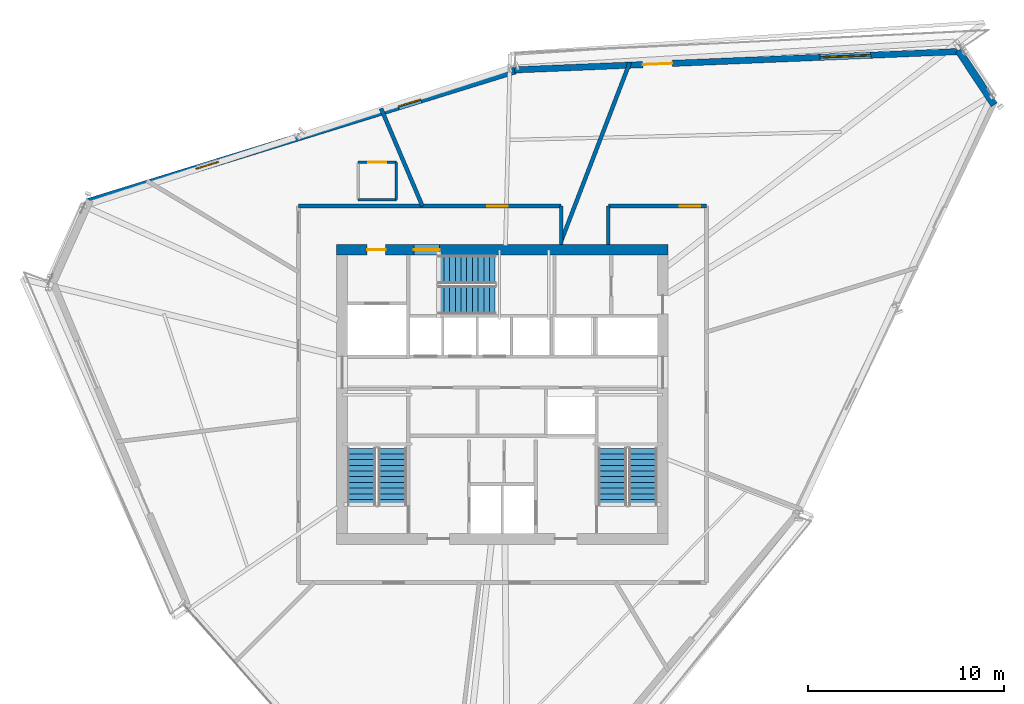
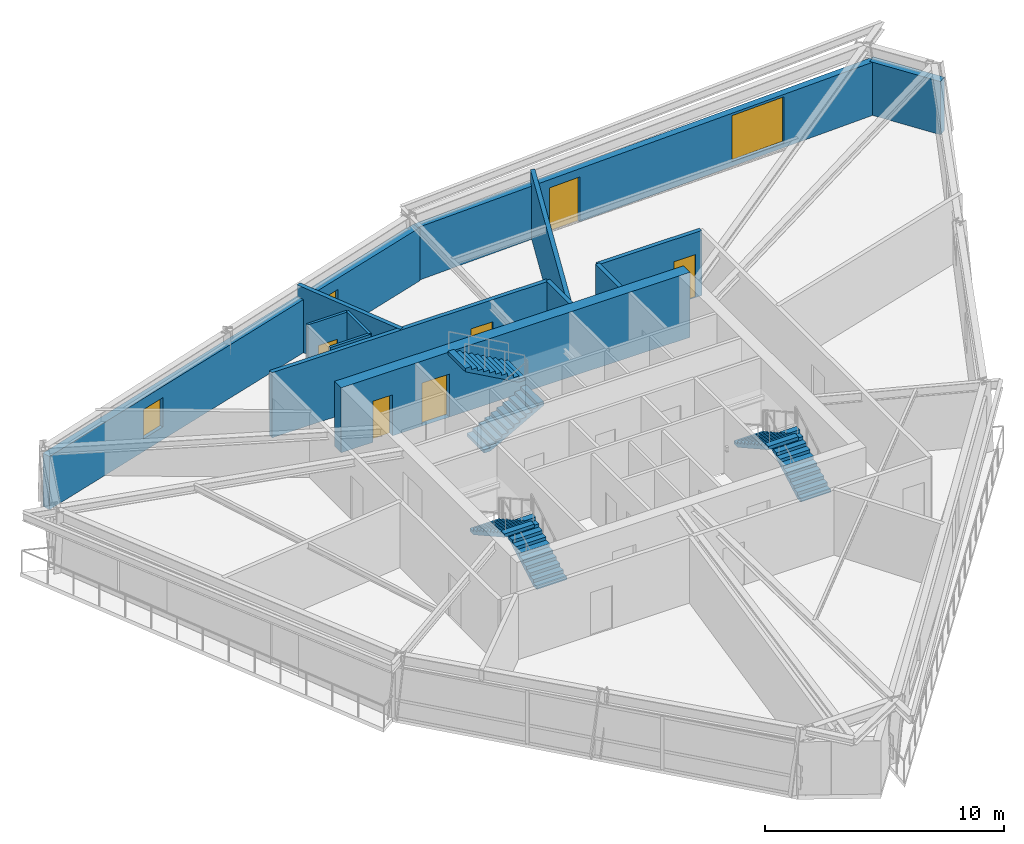
# One storey, part 10 of 13: 13 walls, 6 doors, 6 stair flights, 3 windows, 9 openings, 3 elements without a shape of their own.
"""IFC4 building model written with IfcOpenShell, lengths in metres."""

from ifc_helpers import new_model, si_unit, direction, frame, frame_2d, origin, place, context, subcontext, project, spatial, polyline, rectangle, outline, extrude, source, transform, mapped, material, layer, layer_set, type_object, type_shapes, element, fill, aggregate, save


model = new_model("IFC4")

# Units and contexts
model_context = context("Model", 3, precision=1e-05, world=origin(), true_north=direction((0.0, 1.0)))
body_context = subcontext(model_context, "Body", "Model", "MODEL_VIEW")
ifc_project = project(units=[si_unit("LENGTHUNIT", "METRE"), si_unit("AREAUNIT", "SQUARE_METRE"), si_unit("VOLUMEUNIT", "CUBIC_METRE"), si_unit("PLANEANGLEUNIT", "RADIAN"), si_unit("MASSUNIT", "GRAM", prefix="KILO")], contexts=[model_context])

# Site, building, storey
site_placement = place(None, origin())
site = spatial("IfcSite", under=ifc_project, at=site_placement, CompositionType="ELEMENT")
building_placement = place(site_placement, origin())
building = spatial("IfcBuilding", under=site, at=building_placement, Name="Olszyna Solenne Hotel", CompositionType="ELEMENT")
storey_placement = place(building_placement, frame((0.0, 0.0, 171.449951171875)))
storey = spatial("IfcBuildingStorey", under=building, at=storey_placement, Name="L45", CompositionType="ELEMENT", Elevation=171.449951171875)

# Wall, openings, doors
ifc_material_1 = material(Name="Concrete C50/60", Category="concrete")
ifc_layer_1 = layer(ifc_material_1, 0.550048828125, Name="Concrete C50/60")
ifc_layer_set_1 = layer_set([ifc_layer_1], Name="Concrete C50/60")
wall_type_1 = type_object("IfcWallType", Name="WL-CR550", PredefinedType="SHEAR", material=ifc_layer_set_1)
wall_1_placement = place(storey_placement, frame((29.550048828125, 33.97509765625, 0.0), z_axis=(0.0, 0.0, 1.0), x_axis=(1.0, 0.0, 0.0)))
wall_1 = element("IfcWall", 1, at=wall_1_placement, inside=storey, type_object=wall_type_1, Name="Core shear wall WL-CR550 CRW-L45-N", PredefinedType="SHEAR", context=body_context, shape_type="SweptSolid", body=[
    extrude(rectangle(XDim=16.89990234375, YDim=0.550048828125, at=frame_2d((8.449951171875, 0.0))), origin(), (0.0, 0.0, 1.0), 3.330078125),
])
opening_1_placement = place(wall_1_placement, frame((1.550048828125, 0.0, 0.0)))
opening_1 = element("IfcOpeningElement", 2, at=opening_1_placement, cuts=wall_1, Name="Opening SVD-L45-01", PredefinedType="OPENING", context=body_context, shape_type="SweptSolid", body=[
    extrude(rectangle(XDim=0.949951171875, YDim=2.10009765625, at=frame_2d((0.47509765625, 1.050048828125))), frame((0.0, 0.28515625, 0.0), z_axis=(0.0, -1.0, 0.0), x_axis=(1.0, 0.0, 0.0)), (0.0, 0.0, 1.0), 0.570068359375),
])
opening_2_placement = place(wall_1_placement, frame((3.929931640625, 0.0, 0.0)))
opening_2 = element("IfcOpeningElement", 3, at=opening_2_placement, cuts=wall_1, Name="Opening STD-L45-03", PredefinedType="OPENING", context=body_context, shape_type="SweptSolid", body=[
    extrude(rectangle(XDim=1.320068359375, YDim=2.199951171875, at=frame_2d((0.66015625, 1.10009765625))), frame((0.0, 0.28515625, 0.0), z_axis=(0.0, -1.0, 0.0), x_axis=(1.0, 0.0, 0.0)), (0.0, 0.0, 1.0), 0.570068359375),
])
ifc_material_2 = material(Name="Steel S355J2", Category="steel")
door_type_1 = type_object("IfcDoorType", Name="DR-ST1", OperationType="NOTDEFINED", PredefinedType="DOOR", material=ifc_material_2)
shared_shape_1 = source(origin(), body_context, "Body", "SweptSolid", [
    extrude(rectangle(XDim=1.320068359375, YDim=2.199951171875, at=frame_2d((0.66015625, 1.10009765625))), frame((0.0, 0.02490234375, 0.0), z_axis=(0.0, -1.0, 0.0), x_axis=(1.0, 0.0, 0.0)), (0.0, 0.0, 1.0), 0.050048828125),
])
type_shapes(door_type_1, [shared_shape_1])
door_1_placement = place(opening_2_placement, origin())
door_1 = element("IfcDoor", 4, at=door_1_placement, inside=storey, type_object=door_type_1, Name="Pressurised exit stair ST3 fire door STD-L45-03", OperationType="SINGLE_SWING_RIGHT", OverallHeight=2.199951171875, OverallWidth=1.320068359375, PredefinedType="DOOR", context=body_context, shape_type="MappedRepresentation", body=[
    mapped(shared_shape_1, transform((0.0, 0.0, 0.0), x_axis=(1.0, 0.0, 0.0), y_axis=(0.0, 1.0, 0.0), z_axis=(0.0, 0.0, 1.0), scale=1.0)),
])
fill(opening_2, door_1)
door_type_2 = type_object("IfcDoorType", Name="DR-SV1", OperationType="NOTDEFINED", PredefinedType="DOOR", material=ifc_material_2)
shared_shape_2 = source(origin(), body_context, "Body", "SweptSolid", [
    extrude(rectangle(XDim=0.949951171875, YDim=2.10009765625, at=frame_2d((0.47509765625, 1.050048828125))), frame((0.0, 0.02490234375, 0.0), z_axis=(0.0, -1.0, 0.0), x_axis=(1.0, 0.0, 0.0)), (0.0, 0.0, 1.0), 0.050048828125),
])
type_shapes(door_type_2, [shared_shape_2])
door_2_placement = place(opening_1_placement, origin())
door_2 = element("IfcDoor", 5, at=door_2_placement, inside=storey, type_object=door_type_2, Name="Service lift lobby fire door SVD-L45-01", OperationType="SINGLE_SWING_LEFT", OverallHeight=2.10009765625, OverallWidth=0.949951171875, PredefinedType="DOOR", context=body_context, shape_type="MappedRepresentation", body=[
    mapped(shared_shape_2, transform((0.0, 0.0, 0.0), x_axis=(1.0, 0.0, 0.0), y_axis=(0.0, 1.0, 0.0), z_axis=(0.0, 0.0, 1.0), scale=1.0)),
])
fill(opening_1, door_2)

# Wall, openings, door, window
ifc_material_3 = material(Name="Precast concrete C45/55", Category="concrete")
ifc_layer_2 = layer(ifc_material_3, 0.320068359375, Name="Precast concrete C45/55")
ifc_layer_set_2 = layer_set([ifc_layer_2], Name="Precast concrete C45/55")
wall_type_2 = type_object("IfcWallType", Name="WL-EX320", PredefinedType="SOLIDWALL", material=ifc_layer_set_2)
wall_2_placement = place(storey_placement, frame((38.606689453125, 43.14599609375, 0.0), z_axis=(0.0, 0.0, 1.0), x_axis=(0.999144377046, 0.041358358487, 0.0)))
wall_2 = element("IfcWall", 6, at=wall_2_placement, inside=storey, type_object=wall_type_2, Name="Exterior terracotta-precast frame wall WL-EX320 EW-L45-08", PredefinedType="SOLIDWALL", context=body_context, shape_type="SweptSolid", body=[
    extrude(rectangle(XDim=22.8330078125, YDim=0.320068359375, at=frame_2d((11.41650390625, 0.0))), origin(), (0.0, 0.0, 1.0), 2.72216796875),
])
opening_3_placement = place(wall_2_placement, frame((6.556884765625, 0.0, 0.0)))
opening_3 = element("IfcOpeningElement", 7, at=opening_3_placement, cuts=wall_2, Name="Opening LDG-L45-1", PredefinedType="OPENING", context=body_context, shape_type="SweptSolid", body=[
    extrude(rectangle(XDim=1.5, YDim=2.300048828125, at=frame_2d((0.75, 1.14990234375))), frame((0.0, 0.169921875, 0.0), z_axis=(0.0, -1.0, 0.0), x_axis=(1.0, 0.0, 0.0)), (0.0, 0.0, 1.0), 0.340087890625),
])
opening_4_placement = place(wall_2_placement, frame((15.595947265625, 0.0, 0.251953125)))
opening_4 = element("IfcOpeningElement", 8, at=opening_4_placement, cuts=wall_2, Name="Opening WN-L45-282", PredefinedType="OPENING", context=body_context, shape_type="SweptSolid", body=[
    extrude(rectangle(XDim=2.60009765625, YDim=2.35009765625, at=frame_2d((1.300048828125, 1.175048828125))), frame((0.0, 0.169921875, 0.0), z_axis=(0.0, -1.0, 0.0), x_axis=(1.0, 0.0, 0.0)), (0.0, 0.0, 1.0), 0.340087890625),
])
ifc_material_4 = material(Name="Anodised bronze aluminium", Category="aluminium")
door_type_3 = type_object("IfcDoorType", Name="DR-LG2", OperationType="DOUBLE_DOOR_SINGLE_SWING", PredefinedType="DOOR", material=ifc_material_4)
shared_shape_3 = source(origin(), body_context, "Body", "SweptSolid", [
    extrude(rectangle(XDim=1.5, YDim=2.300048828125, at=frame_2d((0.75, 1.14990234375))), frame((0.0, 0.02490234375, 0.0), z_axis=(0.0, -1.0, 0.0), x_axis=(1.0, 0.0, 0.0)), (0.0, 0.0, 1.0), 0.050048828125),
])
type_shapes(door_type_3, [shared_shape_3])
door_3_placement = place(opening_3_placement, origin())
door_3 = element("IfcDoor", 9, at=door_3_placement, inside=storey, type_object=door_type_3, Name="Exterior loggia balcony door DR-LG2 LDG-L45-1", OperationType="DOUBLE_DOOR_SINGLE_SWING", OverallHeight=2.300048828125, OverallWidth=1.5, PredefinedType="DOOR", context=body_context, shape_type="MappedRepresentation", body=[
    mapped(shared_shape_3, transform((0.0, 0.0, 0.0), x_axis=(1.0, 0.0, 0.0), y_axis=(0.0, 1.0, 0.0), z_axis=(0.0, 0.0, 1.0), scale=1.0)),
])
fill(opening_3, door_3)
ifc_material_5 = material(Name="Low-E triple glazing", Category="glass")
window_type_1 = type_object("IfcWindowType", Name="WN-ST1", PartitioningType="SINGLE_PANEL", PredefinedType="WINDOW", material=ifc_material_5)
shared_shape_4 = source(origin(), body_context, "Body", "SweptSolid", [
    extrude(rectangle(XDim=2.60009765625, YDim=2.35009765625, at=frame_2d((1.300048828125, 1.175048828125))), frame((0.0, 0.030029296875, 0.0), z_axis=(0.0, -1.0, 0.0), x_axis=(1.0, 0.0, 0.0)), (0.0, 0.0, 1.0), 0.06005859375),
])
type_shapes(window_type_1, [shared_shape_4])
window_1_placement = place(opening_4_placement, origin())
window_1 = element("IfcWindow", 10, at=window_1_placement, inside=storey, type_object=window_type_1, Name="Loggia room window WN-ST1 WN-L45-282", OverallHeight=2.35009765625, OverallWidth=2.60009765625, PartitioningType="SINGLE_PANEL", PredefinedType="WINDOW", context=body_context, shape_type="MappedRepresentation", body=[
    mapped(shared_shape_4, transform((0.0, 0.0, 0.0), x_axis=(1.0, 0.0, 0.0), y_axis=(0.0, 1.0, 0.0), z_axis=(0.0, 0.0, 1.0), scale=1.0)),
])
fill(opening_4, window_1)

# Wall, openings, windows
ifc_material_6 = material(Name="Terracotta cladding on precast concrete C45/55", Category="masonry")
ifc_layer_3 = layer(ifc_material_6, 0.3798828125, Name="Terracotta cladding on precast concrete C45/55")
ifc_layer_set_3 = layer_set([ifc_layer_3], Name="Terracotta cladding on precast concrete C45/55")
wall_type_3 = type_object("IfcWallType", Name="WL-EX380", PredefinedType="SOLIDWALL", material=ifc_layer_set_3)
wall_3_placement = place(storey_placement, frame((16.836669921875, 36.396484375, 0.0), z_axis=(0.0, 0.0, 1.0), x_axis=(0.955604756782, 0.294651571887, 0.0)))
wall_3 = element("IfcWall", 11, at=wall_3_placement, inside=storey, type_object=wall_type_3, Name="Exterior terracotta-precast frame wall WL-EX380 EW-L45-07", PredefinedType="SOLIDWALL", context=body_context, shape_type="SweptSolid", body=[
    extrude(rectangle(XDim=22.8330078125, YDim=0.3798828125, at=frame_2d((11.41650390625, 0.0))), origin(), (0.0, 0.0, 1.0), 2.72216796875),
])
opening_5_placement = place(wall_3_placement, frame((5.79296875, 0.0, 0.64990234375)))
opening_5 = element("IfcOpeningElement", 12, at=opening_5_placement, cuts=wall_3, Name="Opening WN-L45-280", PredefinedType="OPENING", context=body_context, shape_type="SweptSolid", body=[
    extrude(rectangle(XDim=1.199951171875, YDim=1.5, at=frame_2d((0.60009765625, 0.75))), frame((0.0, 0.199951171875, 0.0), z_axis=(0.0, -1.0, 0.0), x_axis=(1.0, 0.0, 0.0)), (0.0, 0.0, 1.0), 0.39990234375),
])
opening_6_placement = place(wall_3_placement, frame((16.590087890625, 0.0, 0.64990234375)))
opening_6 = element("IfcOpeningElement", 13, at=opening_6_placement, cuts=wall_3, Name="Opening WN-L45-281", PredefinedType="OPENING", context=body_context, shape_type="SweptSolid", body=[
    extrude(rectangle(XDim=1.199951171875, YDim=1.5, at=frame_2d((0.60009765625, 0.75))), frame((0.0, 0.199951171875, 0.0), z_axis=(0.0, -1.0, 0.0), x_axis=(1.0, 0.0, 0.0)), (0.0, 0.0, 1.0), 0.39990234375),
])
window_type_2 = type_object("IfcWindowType", Name="WN-B1", PartitioningType="SINGLE_PANEL", PredefinedType="WINDOW", material=ifc_material_5)
shared_shape_5 = source(origin(), body_context, "Body", "SweptSolid", [
    extrude(rectangle(XDim=1.199951171875, YDim=1.5, at=frame_2d((0.60009765625, 0.75))), frame((0.0, 0.030029296875, 0.0), z_axis=(0.0, -1.0, 0.0), x_axis=(1.0, 0.0, 0.0)), (0.0, 0.0, 1.0), 0.06005859375),
])
type_shapes(window_type_2, [shared_shape_5])
window_2_placement = place(opening_5_placement, origin())
window_2 = element("IfcWindow", 14, at=window_2_placement, inside=storey, type_object=window_type_2, Name="Exterior facade window WN-B1 WN-L45-280", OverallHeight=1.5, OverallWidth=1.199951171875, PartitioningType="SINGLE_PANEL", PredefinedType="WINDOW", context=body_context, shape_type="MappedRepresentation", body=[
    mapped(shared_shape_5, transform((0.0, 0.0, 0.0), x_axis=(1.0, 0.0, 0.0), y_axis=(0.0, 1.0, 0.0), z_axis=(0.0, 0.0, 1.0), scale=1.0)),
])
fill(opening_5, window_2)
window_3_placement = place(opening_6_placement, origin())
window_3 = element("IfcWindow", 15, at=window_3_placement, inside=storey, type_object=window_type_2, Name="Exterior facade window WN-B1 WN-L45-281", OverallHeight=1.5, OverallWidth=1.199951171875, PartitioningType="SINGLE_PANEL", PredefinedType="WINDOW", context=body_context, shape_type="MappedRepresentation", body=[
    mapped(shared_shape_5, transform((0.0, 0.0, 0.0), x_axis=(1.0, 0.0, 0.0), y_axis=(0.0, 1.0, 0.0), z_axis=(0.0, 0.0, 1.0), scale=1.0)),
])
fill(opening_6, window_3)

# Walls
wall_4_placement = place(storey_placement, frame((61.255126953125, 44.1455078125, 0.0), z_axis=(0.0, 0.0, 1.0), x_axis=(0.551208947665, -0.834367242894, 0.0)))
element("IfcWall", 16, at=wall_4_placement, inside=storey, type_object=wall_type_3, Name="Exterior terracotta-precast frame wall WL-EX380 EW-L45-09", PredefinedType="SOLIDWALL", context=body_context, shape_type="SweptSolid", body=[
    extrude(rectangle(XDim=3.328857421875, YDim=0.3798828125, at=frame_2d((1.66455078125, 0.0))), origin(), (0.0, 0.0, 1.0), 2.72216796875),
])
ifc_material_7 = material(Name="Acoustic gypsum partition", Category="gypsum")
ifc_layer_4 = layer(ifc_material_7, 0.125, Name="Acoustic gypsum partition")
ifc_layer_set_4 = layer_set([ifc_layer_4], Name="Acoustic gypsum partition")
wall_type_4 = type_object("IfcWallType", Name="WL-PT125", PredefinedType="PARTITIONING", material=ifc_layer_set_4)
wall_5_placement = place(storey_placement, frame((32.593017578125, 36.532958984375, 0.0), z_axis=(0.0, 0.0, 1.0), x_axis=(0.0, 1.0, 0.0)))
element("IfcWall", 17, at=wall_5_placement, inside=storey, type_object=wall_type_4, Name="Interior acoustic partition WL-PT125 PW-L45-2529", PredefinedType="PARTITIONING", context=body_context, shape_type="SweptSolid", body=[
    extrude(rectangle(XDim=1.900146484375, YDim=0.125, at=frame_2d((0.9501953125, 0.0))), origin(), (0.0, 0.0, 1.0), 3.330078125),
])

# Wall, opening, door
wall_6_placement = place(storey_placement, frame((32.593017578125, 38.43310546875, 0.0), z_axis=(0.0, 0.0, 1.0), x_axis=(-1.0, 0.0, 0.0)))
wall_6 = element("IfcWall", 18, at=wall_6_placement, inside=storey, type_object=wall_type_4, Name="Interior acoustic partition WL-PT125 PW-L45-2530", PredefinedType="PARTITIONING", context=body_context, shape_type="SweptSolid", body=[
    extrude(rectangle(XDim=1.949951171875, YDim=0.125, at=frame_2d((0.97509765625, 0.0))), origin(), (0.0, 0.0, 1.0), 3.330078125),
])
opening_7_placement = place(wall_6_placement, frame((0.52490234375, 0.0, 0.0)))
opening_7 = element("IfcOpeningElement", 19, at=opening_7_placement, cuts=wall_6, Name="Opening DR-L45-0607", PredefinedType="OPENING", context=body_context, shape_type="SweptSolid", body=[
    extrude(rectangle(XDim=0.89990234375, YDim=2.10009765625, at=frame_2d((0.449951171875, 1.050048828125))), frame((0.0, 0.072509765625, 0.0), z_axis=(0.0, -1.0, 0.0), x_axis=(1.0, 0.0, 0.0)), (0.0, 0.0, 1.0), 0.14501953125),
])
ifc_material_8 = material(Name="Timber hardwood", Category="wood")
door_type_4 = type_object("IfcDoorType", Name="DR-WC1", OperationType="NOTDEFINED", PredefinedType="DOOR", material=ifc_material_8)
shared_shape_6 = source(origin(), body_context, "Body", "SweptSolid", [
    extrude(rectangle(XDim=0.89990234375, YDim=2.10009765625, at=frame_2d((0.449951171875, 1.050048828125))), frame((0.0, 0.02490234375, 0.0), z_axis=(0.0, -1.0, 0.0), x_axis=(1.0, 0.0, 0.0)), (0.0, 0.0, 1.0), 0.050048828125),
])
type_shapes(door_type_4, [shared_shape_6])
door_4_placement = place(opening_7_placement, origin())
door_4 = element("IfcDoor", 20, at=door_4_placement, inside=storey, type_object=door_type_4, Name="En-Suite Bathroom Door DR-L45-0607", OperationType="SINGLE_SWING_LEFT", OverallHeight=2.10009765625, OverallWidth=0.89990234375, PredefinedType="DOOR", context=body_context, shape_type="MappedRepresentation", body=[
    mapped(shared_shape_6, transform((0.0, 0.0, 0.0), x_axis=(1.0, 0.0, 0.0), y_axis=(0.0, 1.0, 0.0), z_axis=(0.0, 0.0, 1.0), scale=1.0)),
])
fill(opening_7, door_4)

# Walls
wall_7_placement = place(storey_placement, frame((30.64306640625, 36.532958984375, 0.0), z_axis=(0.0, 0.0, 1.0), x_axis=(1.0, 0.0, 0.0)))
element("IfcWall", 21, at=wall_7_placement, inside=storey, type_object=wall_type_4, Name="Interior acoustic partition WL-PT125 PW-L45-2532", PredefinedType="PARTITIONING", context=body_context, shape_type="SweptSolid", body=[
    extrude(rectangle(XDim=1.949951171875, YDim=0.125, at=frame_2d((0.97509765625, 0.0))), origin(), (0.0, 0.0, 1.0), 3.330078125),
])
ifc_layer_5 = layer(ifc_material_7, 0.199951171875, Name="Acoustic gypsum partition")
ifc_layer_set_5 = layer_set([ifc_layer_5], Name="Acoustic gypsum partition")
wall_type_5 = type_object("IfcWallType", Name="WL-PT200", PredefinedType="PARTITIONING", material=ifc_layer_set_5)
wall_8_placement = place(storey_placement, frame((41.0, 34.415283203125, 0.0), z_axis=(0.0, 0.0, 1.0), x_axis=(0.358366692875, 0.933580908887, 0.0)))
element("IfcWall", 22, at=wall_8_placement, inside=storey, type_object=wall_type_5, Name="Interior acoustic partition WL-PT200 PW-L45-2527", PredefinedType="PARTITIONING", context=body_context, shape_type="SweptSolid", body=[
    extrude(rectangle(XDim=9.752197265625, YDim=0.199951171875, at=frame_2d((4.8759765625, 0.0))), origin(), (0.0, 0.0, 1.0), 3.330078125),
])
wall_9_placement = place(storey_placement, frame((33.925048828125, 36.199951171875, 0.0), z_axis=(0.0, 0.0, 1.0), x_axis=(-0.390725959749, 0.920507047436, 0.0)))
element("IfcWall", 23, at=wall_9_placement, inside=storey, type_object=wall_type_5, Name="Interior acoustic partition WL-PT200 PW-L45-2528", PredefinedType="PARTITIONING", context=body_context, shape_type="SweptSolid", body=[
    extrude(rectangle(XDim=5.4111328125, YDim=0.199951171875, at=frame_2d((2.70556640625, 0.0))), origin(), (0.0, 0.0, 1.0), 3.330078125),
])

# Wall, opening, door
wall_10_placement = place(storey_placement, frame((27.60009765625, 36.199951171875, 0.0), z_axis=(0.0, 0.0, 1.0), x_axis=(1.0, 0.0, 0.0)))
wall_10 = element("IfcWall", 24, at=wall_10_placement, inside=storey, type_object=wall_type_5, Name="Interior acoustic partition WL-PT200 PW-L45-2535", PredefinedType="PARTITIONING", context=body_context, shape_type="SweptSolid", body=[
    extrude(rectangle(XDim=13.39990234375, YDim=0.199951171875, at=frame_2d((6.699951171875, 0.0))), origin(), (0.0, 0.0, 1.0), 3.330078125),
])
opening_8_placement = place(wall_10_placement, frame((9.631103515625, 0.0, 0.0)))
opening_8 = element("IfcOpeningElement", 25, at=opening_8_placement, cuts=wall_10, Name="Opening DR-L45-0614", PredefinedType="OPENING", context=body_context, shape_type="SweptSolid", body=[
    extrude(rectangle(XDim=1.050048828125, YDim=2.199951171875, at=frame_2d((0.52490234375, 1.10009765625))), frame((0.0, 0.10986328125, 0.0), z_axis=(0.0, -1.0, 0.0), x_axis=(1.0, 0.0, 0.0)), (0.0, 0.0, 1.0), 0.219970703125),
])
door_type_5 = type_object("IfcDoorType", Name="DR-RM2", OperationType="NOTDEFINED", PredefinedType="DOOR", material=ifc_material_8)
shared_shape_7 = source(origin(), body_context, "Body", "SweptSolid", [
    extrude(rectangle(XDim=1.050048828125, YDim=2.199951171875, at=frame_2d((0.52490234375, 1.10009765625))), frame((0.0, 0.02490234375, 0.0), z_axis=(0.0, -1.0, 0.0), x_axis=(1.0, 0.0, 0.0)), (0.0, 0.0, 1.0), 0.050048828125),
])
type_shapes(door_type_5, [shared_shape_7])
door_5_placement = place(opening_8_placement, origin())
door_5 = element("IfcDoor", 26, at=door_5_placement, inside=storey, type_object=door_type_5, Name="Boutique Art Gallery Entrance Door DR-L45-0614", OperationType="SINGLE_SWING_LEFT", OverallHeight=2.199951171875, OverallWidth=1.050048828125, PredefinedType="DOOR", context=body_context, shape_type="MappedRepresentation", body=[
    mapped(shared_shape_7, transform((0.0, 0.0, 0.0), x_axis=(1.0, 0.0, 0.0), y_axis=(0.0, 1.0, 0.0), z_axis=(0.0, 0.0, 1.0), scale=1.0)),
])
fill(opening_8, door_5)

# Wall
wall_11_placement = place(storey_placement, frame((41.0, 34.25, 0.0), z_axis=(0.0, 0.0, 1.0), x_axis=(0.0, 1.0, 0.0)))
element("IfcWall", 27, at=wall_11_placement, inside=storey, type_object=wall_type_5, Name="Interior acoustic partition WL-PT200 PW-L45-2536", PredefinedType="PARTITIONING", context=body_context, shape_type="SweptSolid", body=[
    extrude(rectangle(XDim=1.949951171875, YDim=0.199951171875, at=frame_2d((0.97509765625, 0.0))), origin(), (0.0, 0.0, 1.0), 3.330078125),
])

# Wall, opening, door
wall_12_placement = place(storey_placement, frame((43.39990234375, 36.199951171875, 0.0), z_axis=(0.0, 0.0, 1.0), x_axis=(1.0, 0.0, 0.0)))
wall_12 = element("IfcWall", 28, at=wall_12_placement, inside=storey, type_object=wall_type_5, Name="Interior acoustic partition WL-PT200 PW-L45-2537", PredefinedType="PARTITIONING", context=body_context, shape_type="SweptSolid", body=[
    extrude(rectangle(XDim=5.0, YDim=0.199951171875, at=frame_2d((2.5, 0.0))), origin(), (0.0, 0.0, 1.0), 3.330078125),
])
opening_9_placement = place(wall_12_placement, frame((3.64990234375, 0.0, 0.0)))
opening_9 = element("IfcOpeningElement", 29, at=opening_9_placement, cuts=wall_12, Name="Opening DR-L45-0615", PredefinedType="OPENING", context=body_context, shape_type="SweptSolid", body=[
    extrude(rectangle(XDim=1.050048828125, YDim=2.199951171875, at=frame_2d((0.52490234375, 1.10009765625))), frame((0.0, 0.10986328125, 0.0), z_axis=(0.0, -1.0, 0.0), x_axis=(1.0, 0.0, 0.0)), (0.0, 0.0, 1.0), 0.219970703125),
])
door_6_placement = place(opening_9_placement, origin())
door_6 = element("IfcDoor", 30, at=door_6_placement, inside=storey, type_object=door_type_5, Name="Wellness Spa Studio Entrance Door DR-L45-0615", OperationType="SINGLE_SWING_RIGHT", OverallHeight=2.199951171875, OverallWidth=1.050048828125, PredefinedType="DOOR", context=body_context, shape_type="MappedRepresentation", body=[
    mapped(shared_shape_7, transform((0.0, 0.0, 0.0), x_axis=(1.0, 0.0, 0.0), y_axis=(0.0, 1.0, 0.0), z_axis=(0.0, 0.0, 1.0), scale=1.0)),
])
fill(opening_9, door_6)

# Wall
wall_13_placement = place(storey_placement, frame((43.39990234375, 34.25, 0.0), z_axis=(0.0, 0.0, 1.0), x_axis=(0.0, 1.0, 0.0)))
element("IfcWall", 31, at=wall_13_placement, inside=storey, type_object=wall_type_5, Name="Interior acoustic partition WL-PT200 PW-L45-2538", PredefinedType="PARTITIONING", context=body_context, shape_type="SweptSolid", body=[
    extrude(rectangle(XDim=1.949951171875, YDim=0.199951171875, at=frame_2d((0.97509765625, 0.0))), origin(), (0.0, 0.0, 1.0), 3.330078125),
])

# Stair, stair flights
ifc_material_9 = material(Name="Concrete C40/50", Category="concrete")
stair_type = type_object("IfcStairType", Name="STR-C1", PredefinedType="TWO_QUARTER_WINDING_STAIR", material=ifc_material_9)
stair_1_placement = place(storey_placement, origin())
stair_1 = element("IfcStair", 32, at=stair_1_placement, inside=storey, type_object=stair_type, Name="L45 ST1", PredefinedType="TWO_QUARTER_WINDING_STAIR")
stair_flight_type = type_object("IfcStairFlightType", Name="FLT-C1", PredefinedType="STRAIGHT", material=ifc_material_9)
stair_flight_1_placement = place(storey_placement, frame((32.39501953125, 20.949951171875, 0.0), z_axis=(0.0, 0.0, 1.0), x_axis=(0.0, 1.0, 0.0)))
stair_flight_1 = element("IfcStairFlight", 33, at=stair_flight_1_placement, type_object=stair_flight_type, Name="ST1 flight 1", NumberOfRisers=11, NumberOfTreads=10, PredefinedType="STRAIGHT", RiserHeight=0.161363636, TreadLength=0.29, context=body_context, shape_type="SweptSolid", body=[
    extrude(outline(polyline([(0.0, 0.0), (0.0, 0.161376953125), (0.2900390625, 0.161376953125), (0.2900390625, 0.32275390625), (0.580078125, 0.32275390625), (0.580078125, 0.484130859375), (0.8701171875, 0.484130859375), (0.8701171875, 0.6455078125), (1.159912109375, 0.6455078125), (1.159912109375, 0.806884765625), (1.449951171875, 0.806884765625), (1.449951171875, 0.96826171875), (1.739990234375, 0.96826171875), (1.739990234375, 1.129638671875), (2.030029296875, 1.129638671875), (2.030029296875, 1.291015625), (2.320068359375, 1.291015625), (2.320068359375, 1.452392578125), (2.610107421875, 1.452392578125), (2.610107421875, 1.613525390625), (2.89990234375, 1.613525390625), (2.89990234375, 1.77490234375), (2.89990234375, 1.442138671875), (0.308349609375, 0.0), (0.0, 0.0)])), frame((0.0, 0.72509765625, 0.0), z_axis=(0.0, -1.0, 0.0), x_axis=(1.0, 0.0, 0.0)), (0.0, 0.0, 1.0), 1.449951171875),
])
stair_flight_2_placement = place(storey_placement, frame((30.824951171875, 23.85009765625, 1.775146484375), z_axis=(0.0, 0.0, 1.0), x_axis=(0.0, -1.0, 0.0)))
stair_flight_2 = element("IfcStairFlight", 34, at=stair_flight_2_placement, type_object=stair_flight_type, Name="ST1 flight 2", NumberOfRisers=11, NumberOfTreads=10, PredefinedType="STRAIGHT", RiserHeight=0.161363636, TreadLength=0.29, context=body_context, shape_type="SweptSolid", body=[
    extrude(outline(polyline([(0.0, 0.0), (0.0, 0.161376953125), (0.2900390625, 0.161376953125), (0.2900390625, 0.32275390625), (0.580078125, 0.32275390625), (0.580078125, 0.484130859375), (0.8701171875, 0.484130859375), (0.8701171875, 0.6455078125), (1.159912109375, 0.6455078125), (1.159912109375, 0.806884765625), (1.449951171875, 0.806884765625), (1.449951171875, 0.96826171875), (1.739990234375, 0.96826171875), (1.739990234375, 1.129638671875), (2.030029296875, 1.129638671875), (2.030029296875, 1.291015625), (2.320068359375, 1.291015625), (2.320068359375, 1.452392578125), (2.610107421875, 1.452392578125), (2.610107421875, 1.613525390625), (2.89990234375, 1.613525390625), (2.89990234375, 1.77490234375), (2.89990234375, 1.442138671875), (0.308349609375, 0.0), (0.0, 0.0)])), frame((0.0, 0.72509765625, 0.0), z_axis=(0.0, -1.0, 0.0), x_axis=(1.0, 0.0, 0.0)), (0.0, 0.0, 1.0), 1.449951171875),
])
aggregate(stair_1, [stair_flight_1, stair_flight_2])

stair_2_placement = place(storey_placement, origin())
stair_2 = element("IfcStair", 35, at=stair_2_placement, inside=storey, type_object=stair_type, Name="L45 ST2", PredefinedType="TWO_QUARTER_WINDING_STAIR")
stair_flight_3_placement = place(storey_placement, frame((45.175048828125, 20.949951171875, 0.0), z_axis=(0.0, 0.0, 1.0), x_axis=(0.0, 1.0, 0.0)))
stair_flight_3 = element("IfcStairFlight", 36, at=stair_flight_3_placement, type_object=stair_flight_type, Name="ST2 flight 1", NumberOfRisers=11, NumberOfTreads=10, PredefinedType="STRAIGHT", RiserHeight=0.161363636, TreadLength=0.29, context=body_context, shape_type="SweptSolid", body=[
    extrude(outline(polyline([(0.0, 0.0), (0.0, 0.161376953125), (0.2900390625, 0.161376953125), (0.2900390625, 0.32275390625), (0.580078125, 0.32275390625), (0.580078125, 0.484130859375), (0.8701171875, 0.484130859375), (0.8701171875, 0.6455078125), (1.159912109375, 0.6455078125), (1.159912109375, 0.806884765625), (1.449951171875, 0.806884765625), (1.449951171875, 0.96826171875), (1.739990234375, 0.96826171875), (1.739990234375, 1.129638671875), (2.030029296875, 1.129638671875), (2.030029296875, 1.291015625), (2.320068359375, 1.291015625), (2.320068359375, 1.452392578125), (2.610107421875, 1.452392578125), (2.610107421875, 1.613525390625), (2.89990234375, 1.613525390625), (2.89990234375, 1.77490234375), (2.89990234375, 1.442138671875), (0.308349609375, 0.0), (0.0, 0.0)])), frame((0.0, 0.72509765625, 0.0), z_axis=(0.0, -1.0, 0.0), x_axis=(1.0, 0.0, 0.0)), (0.0, 0.0, 1.0), 1.449951171875),
])
stair_flight_4_placement = place(storey_placement, frame((43.60498046875, 23.85009765625, 1.775146484375), z_axis=(0.0, 0.0, 1.0), x_axis=(0.0, -1.0, 0.0)))
stair_flight_4 = element("IfcStairFlight", 37, at=stair_flight_4_placement, type_object=stair_flight_type, Name="ST2 flight 2", NumberOfRisers=11, NumberOfTreads=10, PredefinedType="STRAIGHT", RiserHeight=0.161363636, TreadLength=0.29, context=body_context, shape_type="SweptSolid", body=[
    extrude(outline(polyline([(0.0, 0.0), (0.0, 0.161376953125), (0.2900390625, 0.161376953125), (0.2900390625, 0.32275390625), (0.580078125, 0.32275390625), (0.580078125, 0.484130859375), (0.8701171875, 0.484130859375), (0.8701171875, 0.6455078125), (1.159912109375, 0.6455078125), (1.159912109375, 0.806884765625), (1.449951171875, 0.806884765625), (1.449951171875, 0.96826171875), (1.739990234375, 0.96826171875), (1.739990234375, 1.129638671875), (2.030029296875, 1.129638671875), (2.030029296875, 1.291015625), (2.320068359375, 1.291015625), (2.320068359375, 1.452392578125), (2.610107421875, 1.452392578125), (2.610107421875, 1.613525390625), (2.89990234375, 1.613525390625), (2.89990234375, 1.77490234375), (2.89990234375, 1.442138671875), (0.308349609375, 0.0), (0.0, 0.0)])), frame((0.0, 0.72509765625, 0.0), z_axis=(0.0, -1.0, 0.0), x_axis=(1.0, 0.0, 0.0)), (0.0, 0.0, 1.0), 1.449951171875),
])
aggregate(stair_2, [stair_flight_3, stair_flight_4])

stair_3_placement = place(storey_placement, origin())
stair_3 = element("IfcStair", 38, at=stair_3_placement, inside=storey, type_object=stair_type, Name="L45 ST3", PredefinedType="TWO_QUARTER_WINDING_STAIR")
stair_flight_5_placement = place(storey_placement, frame((34.72998046875, 31.405029296875, 0.0), z_axis=(0.0, 0.0, 1.0), x_axis=(1.0, 0.0, 0.0)))
stair_flight_5 = element("IfcStairFlight", 39, at=stair_flight_5_placement, type_object=stair_flight_type, Name="ST3 flight 1", NumberOfRisers=11, NumberOfTreads=10, PredefinedType="STRAIGHT", RiserHeight=0.161363636, TreadLength=0.29, context=body_context, shape_type="SweptSolid", body=[
    extrude(outline(polyline([(0.0, 0.0), (0.0, 0.161376953125), (0.2900390625, 0.161376953125), (0.2900390625, 0.32275390625), (0.580078125, 0.32275390625), (0.580078125, 0.484130859375), (0.8701171875, 0.484130859375), (0.8701171875, 0.6455078125), (1.159912109375, 0.6455078125), (1.159912109375, 0.806884765625), (1.449951171875, 0.806884765625), (1.449951171875, 0.96826171875), (1.739990234375, 0.96826171875), (1.739990234375, 1.129638671875), (2.030029296875, 1.129638671875), (2.030029296875, 1.291015625), (2.320068359375, 1.291015625), (2.320068359375, 1.452392578125), (2.610107421875, 1.452392578125), (2.610107421875, 1.613525390625), (2.89990234375, 1.613525390625), (2.89990234375, 1.77490234375), (2.89990234375, 1.442138671875), (0.308349609375, 0.0), (0.0, 0.0)])), frame((0.0, 0.72509765625, 0.0), z_axis=(0.0, -1.0, 0.0), x_axis=(1.0, 0.0, 0.0)), (0.0, 0.0, 1.0), 1.449951171875),
])
stair_flight_6_placement = place(storey_placement, frame((37.6298828125, 32.97509765625, 1.775146484375), z_axis=(0.0, 0.0, 1.0), x_axis=(-1.0, 0.0, 0.0)))
stair_flight_6 = element("IfcStairFlight", 40, at=stair_flight_6_placement, type_object=stair_flight_type, Name="ST3 flight 2", NumberOfRisers=11, NumberOfTreads=10, PredefinedType="STRAIGHT", RiserHeight=0.161363636, TreadLength=0.29, context=body_context, shape_type="SweptSolid", body=[
    extrude(outline(polyline([(0.0, 0.0), (0.0, 0.161376953125), (0.2900390625, 0.161376953125), (0.2900390625, 0.32275390625), (0.580078125, 0.32275390625), (0.580078125, 0.484130859375), (0.8701171875, 0.484130859375), (0.8701171875, 0.6455078125), (1.159912109375, 0.6455078125), (1.159912109375, 0.806884765625), (1.449951171875, 0.806884765625), (1.449951171875, 0.96826171875), (1.739990234375, 0.96826171875), (1.739990234375, 1.129638671875), (2.030029296875, 1.129638671875), (2.030029296875, 1.291015625), (2.320068359375, 1.291015625), (2.320068359375, 1.452392578125), (2.610107421875, 1.452392578125), (2.610107421875, 1.613525390625), (2.89990234375, 1.613525390625), (2.89990234375, 1.77490234375), (2.89990234375, 1.442138671875), (0.308349609375, 0.0), (0.0, 0.0)])), frame((0.0, 0.72509765625, 0.0), z_axis=(0.0, -1.0, 0.0), x_axis=(1.0, 0.0, 0.0)), (0.0, 0.0, 1.0), 1.449951171875),
])
aggregate(stair_3, [stair_flight_5, stair_flight_6])

save(model, "model.ifc")
